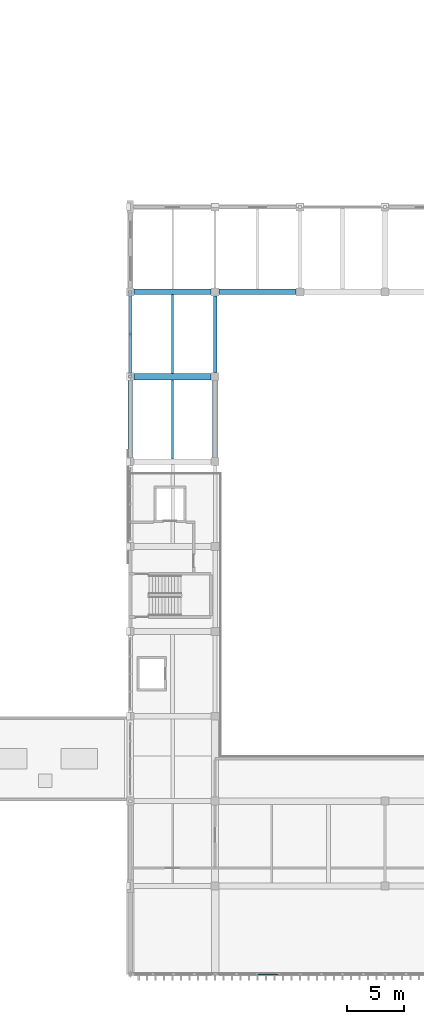
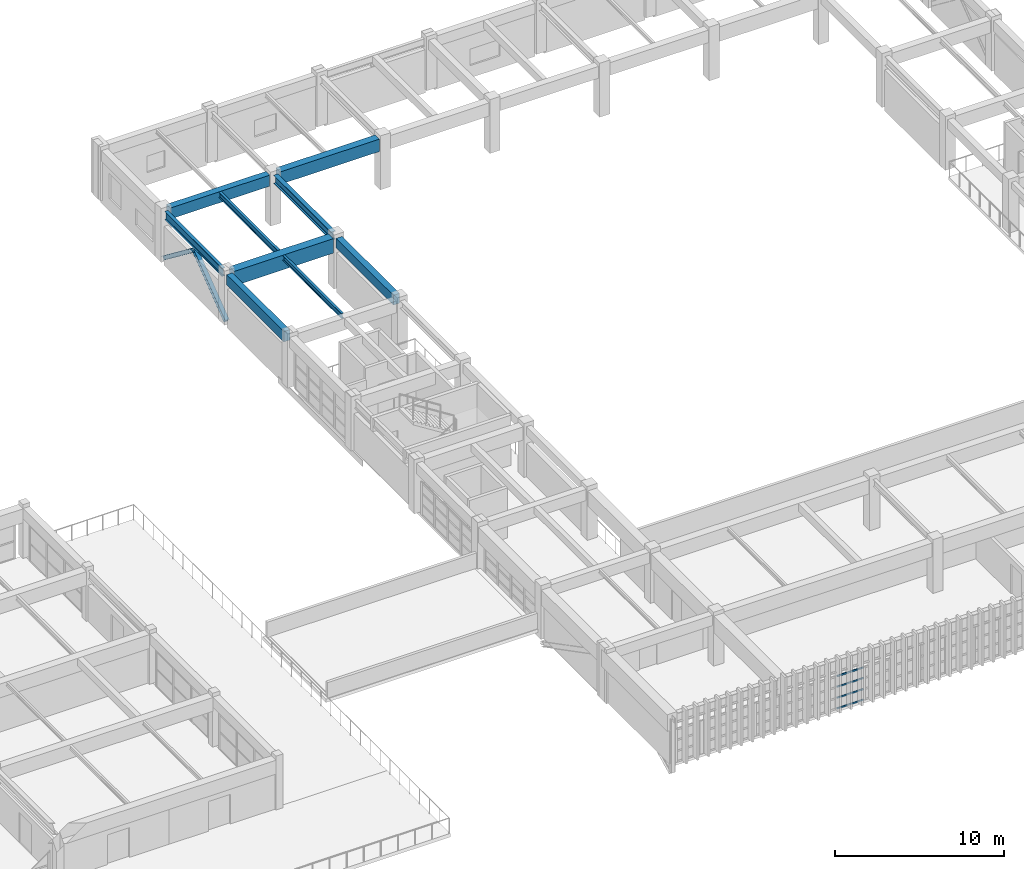
# One storey, part 24 of 82: 9 beams, 6 members, 1 element without a shape of its own.
"""IFC4 building model written with IfcOpenShell, lengths in metres."""

from ifc_helpers import new_model, si_unit, direction, frame, origin, origin_2d, place, context, subcontext, project, spatial, rectangle, hollow_rectangle, i_section, extrude, material, material_profile, profile_set, type_object, element, aggregate, save


model = new_model("IFC4")

# Units and contexts
model_context = context("Model", 3, precision=1e-05, world=origin(), true_north=direction((0.0, 1.0)))
body_context = subcontext(model_context, "Body", "Model", "MODEL_VIEW")
ifc_project = project(units=[si_unit("LENGTHUNIT", "METRE"), si_unit("AREAUNIT", "SQUARE_METRE"), si_unit("VOLUMEUNIT", "CUBIC_METRE"), si_unit("PLANEANGLEUNIT", "RADIAN"), si_unit("MASSUNIT", "GRAM", prefix="KILO")], contexts=[model_context])

# Site, building, storey
site_placement = place(None, origin())
site = spatial("IfcSite", under=ifc_project, at=site_placement, CompositionType="ELEMENT")
building_placement = place(site_placement, origin())
building = spatial("IfcBuilding", under=site, at=building_placement, Name="Qasida Concert Hall", CompositionType="ELEMENT")
storey_placement = place(building_placement, frame((0.0, 0.0, 17.10009765625)))
storey = spatial("IfcBuildingStorey", under=building, at=storey_placement, Name="L04", CompositionType="ELEMENT", Elevation=17.10009765625)

# Beams
ifc_material_1 = material(Name="Concrete C40/50", Category="concrete")
ifc_material_profile_1 = material_profile(ifc_material_1, rectangle(XDim=0.419921875, YDim=0.699951171875, at=origin_2d()), Name="RC 420x700")
ifc_profile_set_1 = profile_set([ifc_material_profile_1], Name="Concrete C40/50")
beam_type_1 = type_object("IfcBeamType", Name="BM-B11", PredefinedType="BEAM", material=ifc_profile_set_1)
beam_1_placement = place(storey_placement, frame((60.0, 60.35009765625, 3.27001953125), z_axis=(0.0, 1.0, 0.0), x_axis=(-1.0, 0.0, 0.0)))
element("IfcBeam", 1, at=beam_1_placement, inside=storey, type_object=beam_type_1, Name="L04 girder 1848", PredefinedType="BEAM", context=body_context, shape_type="SweptSolid", body=[
    extrude(rectangle(XDim=0.419921875, YDim=0.699951171875, at=origin_2d()), origin(), (0.0, 0.0, 1.0), 6.7998046875),
])
ifc_material_2 = material(Name="Steel S355J2", Category="steel")
ifc_material_profile_2 = material_profile(ifc_material_2, i_section(OverallWidth=0.300048828125, OverallDepth=0.60009765625, WebThickness=0.015380859375, FlangeThickness=0.030029296875, FilletRadius=0.027099609375, at=origin_2d()), Name="HEB 600")
ifc_profile_set_2 = profile_set([ifc_material_profile_2], Name="Steel S355J2")
beam_type_2 = type_object("IfcBeamType", Name="BM-B6", PredefinedType="BEAM", material=ifc_profile_set_2)
beam_2_placement = place(storey_placement, frame((60.0, 67.85009765625, 3.31982421875), z_axis=(0.0, 1.0, 0.0), x_axis=(-1.0, 0.0, 0.0)))
element("IfcBeam", 2, at=beam_2_placement, inside=storey, type_object=beam_type_2, Name="L04 girder 1849", PredefinedType="BEAM", context=body_context, shape_type="SweptSolid", body=[
    extrude(i_section(OverallWidth=0.300048828125, OverallDepth=0.60009765625, WebThickness=0.015380859375, FlangeThickness=0.030029296875, FilletRadius=0.027099609375, at=origin_2d()), origin(), (0.0, 0.0, 1.0), 6.7998046875),
])
ifc_material_profile_3 = material_profile(ifc_material_1, rectangle(XDim=0.5, YDim=0.89990234375, at=origin_2d()), Name="RC 500x900")
ifc_profile_set_3 = profile_set([ifc_material_profile_3], Name="Concrete C40/50")
beam_type_3 = type_object("IfcBeamType", Name="BM-G1", PredefinedType="USERDEFINED", material=ifc_profile_set_3)
beam_3_placement = place(storey_placement, frame((60.35009765625, 75.0, 3.169921875), z_axis=(1.0, 0.0, 0.0), x_axis=(0.0, 1.0, 0.0)))
element("IfcBeam", 3, at=beam_3_placement, inside=storey, type_object=beam_type_3, Name="Primary girder 1826", ObjectType="GIRDER", PredefinedType="USERDEFINED", context=body_context, shape_type="SweptSolid", body=[
    extrude(rectangle(XDim=0.5, YDim=0.89990234375, at=origin_2d()), origin(), (0.0, 0.0, 1.0), 6.7998046875),
])
ifc_material_profile_4 = material_profile(ifc_material_1, rectangle(XDim=0.449951171875, YDim=0.800048828125, at=origin_2d()), Name="RC 450x800")
ifc_profile_set_4 = profile_set([ifc_material_profile_4], Name="Concrete C40/50")
beam_type_4 = type_object("IfcBeamType", Name="BM-G2", PredefinedType="USERDEFINED", material=ifc_profile_set_4)
beam_4_placement = place(storey_placement, frame((52.85009765625, 75.0, 3.219970703125), z_axis=(1.0, 0.0, 0.0), x_axis=(0.0, 1.0, 0.0)))
element("IfcBeam", 4, at=beam_4_placement, inside=storey, type_object=beam_type_4, Name="Primary girder 1825", ObjectType="GIRDER", PredefinedType="USERDEFINED", context=body_context, shape_type="SweptSolid", body=[
    extrude(rectangle(XDim=0.449951171875, YDim=0.800048828125, at=origin_2d()), origin(), (0.0, 0.0, 1.0), 6.7998046875),
])
ifc_material_3 = material(Name="Concrete C50/60", Category="concrete")
ifc_material_profile_5 = material_profile(ifc_material_3, rectangle(XDim=0.580078125, YDim=1.050048828125, at=origin_2d()), Name="RC 580x1050")
ifc_profile_set_5 = profile_set([ifc_material_profile_5], Name="Concrete C50/60")
beam_type_5 = type_object("IfcBeamType", Name="BM-G8", PredefinedType="USERDEFINED", material=ifc_profile_set_5)
beam_5_placement = place(storey_placement, frame((52.85009765625, 67.5, 3.094970703125), z_axis=(1.0, 0.0, 0.0), x_axis=(0.0, 1.0, 0.0)))
element("IfcBeam", 5, at=beam_5_placement, inside=storey, type_object=beam_type_5, Name="Primary girder 1823", ObjectType="GIRDER", PredefinedType="USERDEFINED", context=body_context, shape_type="SweptSolid", body=[
    extrude(rectangle(XDim=0.580078125, YDim=1.050048828125, at=origin_2d()), origin(), (0.0, 0.0, 1.0), 6.7998046875),
])
ifc_material_profile_6 = material_profile(ifc_material_2, i_section(OverallWidth=0.169921875, OverallDepth=0.360107421875, WebThickness=0.008056640625, FlangeThickness=0.0126953125, FilletRadius=0.01806640625, at=origin_2d()), Name="IPE 360")
ifc_profile_set_6 = profile_set([ifc_material_profile_6], Name="Steel S355J2")
beam_type_6 = type_object("IfcBeamType", Name="BM-J2", PredefinedType="JOIST", material=ifc_profile_set_6)
beam_6_placement = place(storey_placement, frame((56.25, 60.239990234375, 3.43994140625), z_axis=(0.0, 1.0, 0.0), x_axis=(-1.0, 0.0, 0.0)))
element("IfcBeam", 6, at=beam_6_placement, inside=storey, type_object=beam_type_6, Name="L04 secondary joist 1873", PredefinedType="JOIST", context=body_context, shape_type="SweptSolid", body=[
    extrude(i_section(OverallWidth=0.169921875, OverallDepth=0.360107421875, WebThickness=0.008056640625, FlangeThickness=0.0126953125, FilletRadius=0.01806640625, at=origin_2d()), origin(), (0.0, 0.0, 1.0), 6.969970703125),
])
ifc_material_profile_7 = material_profile(ifc_material_2, i_section(OverallWidth=0.179931640625, OverallDepth=0.39990234375, WebThickness=0.008544921875, FlangeThickness=0.013427734375, FilletRadius=0.02099609375, at=origin_2d()), Name="IPE 400")
ifc_profile_set_7 = profile_set([ifc_material_profile_7], Name="Steel S355J2")
beam_type_7 = type_object("IfcBeamType", Name="BM-J3", PredefinedType="JOIST", material=ifc_profile_set_7)
beam_7_placement = place(storey_placement, frame((56.25, 67.7900390625, 3.419921875), z_axis=(0.0, 1.0, 0.0), x_axis=(-1.0, 0.0, 0.0)))
element("IfcBeam", 7, at=beam_7_placement, inside=storey, type_object=beam_type_7, Name="L04 secondary joist 1874", PredefinedType="JOIST", context=body_context, shape_type="SweptSolid", body=[
    extrude(i_section(OverallWidth=0.179931640625, OverallDepth=0.39990234375, WebThickness=0.008544921875, FlangeThickness=0.013427734375, FilletRadius=0.02099609375, at=origin_2d()), origin(), (0.0, 0.0, 1.0), 6.98486328125),
])
ifc_material_profile_8 = material_profile(ifc_material_1, rectangle(XDim=0.39990234375, YDim=0.75, at=origin_2d()), Name="RC 400x750")
ifc_profile_set_8 = profile_set([ifc_material_profile_8], Name="Concrete C40/50")
beam_type_8 = type_object("IfcBeamType", Name="BM-SP1", PredefinedType="SPANDREL", material=ifc_profile_set_8)
beam_8_placement = place(storey_placement, frame((52.5, 60.35009765625, 3.244873046875), z_axis=(0.0, 1.0, 0.0), x_axis=(-1.0, 0.0, 0.0)))
element("IfcBeam", 8, at=beam_8_placement, inside=storey, type_object=beam_type_8, Name="L04 girder 1842", PredefinedType="SPANDREL", context=body_context, shape_type="SweptSolid", body=[
    extrude(rectangle(XDim=0.39990234375, YDim=0.75, at=origin_2d()), origin(), (0.0, 0.0, 1.0), 6.7998046875),
])
ifc_material_profile_9 = material_profile(ifc_material_2, i_section(OverallWidth=0.219970703125, OverallDepth=0.60009765625, WebThickness=0.011962890625, FlangeThickness=0.01904296875, FilletRadius=0.02392578125, at=origin_2d()), Name="IPE 600")
ifc_profile_set_9 = profile_set([ifc_material_profile_9], Name="Steel S355J2")
beam_type_9 = type_object("IfcBeamType", Name="BM-SP3", PredefinedType="SPANDREL", material=ifc_profile_set_9)
beam_9_placement = place(storey_placement, frame((52.5, 67.85009765625, 3.31982421875), z_axis=(0.0, 1.0, 0.0), x_axis=(-1.0, 0.0, 0.0)))
element("IfcBeam", 9, at=beam_9_placement, inside=storey, type_object=beam_type_9, Name="L04 girder 1843", PredefinedType="SPANDREL", context=body_context, shape_type="SweptSolid", body=[
    extrude(i_section(OverallWidth=0.219970703125, OverallDepth=0.60009765625, WebThickness=0.011962890625, FlangeThickness=0.01904296875, FilletRadius=0.02392578125, at=origin_2d()), origin(), (0.0, 0.0, 1.0), 6.7998046875),
])

# Members
ifc_material_profile_10 = material_profile(ifc_material_2, i_section(OverallWidth=0.280029296875, OverallDepth=0.27001953125, WebThickness=0.008056640625, FlangeThickness=0.012939453125, FilletRadius=0.02392578125, at=origin_2d()), Name="HEA 280")
ifc_profile_set_10 = profile_set([ifc_material_profile_10], Name="Steel S355J2")
member_type_1 = type_object("IfcMemberType", Name="MB-BR3", PredefinedType="BRACE", material=ifc_profile_set_10)
for number, where, z_axis, x_axis, name in (
    (10, (52.5, 67.5, 0.0), (0.0, 0.794130314617, 0.607747516167), (-1.0, 0.0, 0.0), "L04 chevron brace CBF-0009"),
    (11, (52.5, 75.0, 0.0), (0.0, -0.794130314617, 0.607747516167), (1.0, 0.0, 0.0), "L04 chevron brace CBF-0010"),
):
    element("IfcMember", number, at=place(storey_placement, frame(where, z_axis=z_axis, x_axis=x_axis)), inside=storey, type_object=member_type_1, Name=name, PredefinedType="BRACE", context=body_context, shape_type="SweptSolid", body=[
        extrude(i_section(OverallWidth=0.280029296875, OverallDepth=0.27001953125, WebThickness=0.008056640625, FlangeThickness=0.012939453125, FilletRadius=0.02392578125, at=origin_2d()), origin(), (0.0, 0.0, 1.0), 4.72216796875),
    ])

# Curtain wall, members
ifc_material_4 = material(Name="Architectural bronze-anodized aluminium and low-E glass", Category="aluminium")
curtain_wall_type = type_object("IfcCurtainWallType", Name="CW-10", PredefinedType="NOTDEFINED", material=ifc_material_4)
curtain_wall_placement = place(storey_placement, origin())
curtain_wall = element("IfcCurtainWall", 12, at=curtain_wall_placement, inside=storey, type_object=curtain_wall_type, Name="L04 curtain wall CW-10 0023", PredefinedType="NOTDEFINED")
ifc_material_5 = material(Name="Architectural bronze-anodized aluminium EN AW-6063", Category="aluminium")
ifc_material_profile_11 = material_profile(ifc_material_5, hollow_rectangle(XDim=0.06005859375, YDim=0.1201171875, WallThickness=0.00390625, InnerFilletRadius=0.00390625, OuterFilletRadius=0.008056640625, at=origin_2d()), Name="CWT 120x60x4")
ifc_profile_set_11 = profile_set([ifc_material_profile_11], Name="Architectural bronze-anodized aluminium EN AW-6063")
member_type_2 = type_object("IfcMemberType", Name="MB-CWT-2", PredefinedType="USERDEFINED", material=ifc_profile_set_11)
member_1_placement = place(storey_placement, frame((63.784912109375, 14.699951171875, 0.02978515625), z_axis=(1.0, 0.0, 0.0), x_axis=(0.0, 1.0, 0.0)))
member_1 = element("IfcMember", 13, at=member_1_placement, type_object=member_type_2, Name="CW-10 transom 3.1", ObjectType="TRANSOM", PredefinedType="USERDEFINED", context=body_context, shape_type="SweptSolid", body=[
    extrude(hollow_rectangle(XDim=0.06005859375, YDim=0.1201171875, WallThickness=0.00390625, InnerFilletRadius=0.00390625, OuterFilletRadius=0.008056640625, at=origin_2d()), origin(), (0.0, 0.0, 1.0), 1.795166015625),
])
member_2_placement = place(storey_placement, frame((63.784912109375, 14.699951171875, 0.796630859375), z_axis=(1.0, 0.0, 0.0), x_axis=(0.0, 1.0, 0.0)))
member_2 = element("IfcMember", 14, at=member_2_placement, type_object=member_type_2, Name="CW-10 transom 3.2", ObjectType="TRANSOM", PredefinedType="USERDEFINED", context=body_context, shape_type="SweptSolid", body=[
    extrude(hollow_rectangle(XDim=0.06005859375, YDim=0.1201171875, WallThickness=0.00390625, InnerFilletRadius=0.00390625, OuterFilletRadius=0.008056640625, at=origin_2d()), origin(), (0.0, 0.0, 1.0), 1.795166015625),
])
member_3_placement = place(storey_placement, frame((63.784912109375, 14.699951171875, 1.59326171875), z_axis=(1.0, 0.0, 0.0), x_axis=(0.0, 1.0, 0.0)))
member_3 = element("IfcMember", 15, at=member_3_placement, type_object=member_type_2, Name="CW-10 transom 3.3", ObjectType="TRANSOM", PredefinedType="USERDEFINED", context=body_context, shape_type="SweptSolid", body=[
    extrude(hollow_rectangle(XDim=0.06005859375, YDim=0.1201171875, WallThickness=0.00390625, InnerFilletRadius=0.00390625, OuterFilletRadius=0.008056640625, at=origin_2d()), origin(), (0.0, 0.0, 1.0), 1.795166015625),
])
member_4_placement = place(storey_placement, frame((63.784912109375, 14.699951171875, 2.35986328125), z_axis=(1.0, 0.0, 0.0), x_axis=(0.0, 1.0, 0.0)))
member_4 = element("IfcMember", 16, at=member_4_placement, type_object=member_type_2, Name="CW-10 transom 3.4", ObjectType="TRANSOM", PredefinedType="USERDEFINED", context=body_context, shape_type="SweptSolid", body=[
    extrude(hollow_rectangle(XDim=0.06005859375, YDim=0.1201171875, WallThickness=0.00390625, InnerFilletRadius=0.00390625, OuterFilletRadius=0.008056640625, at=origin_2d()), origin(), (0.0, 0.0, 1.0), 1.795166015625),
])
aggregate(curtain_wall, [member_1, member_2, member_3, member_4])

save(model, "model.ifc")
